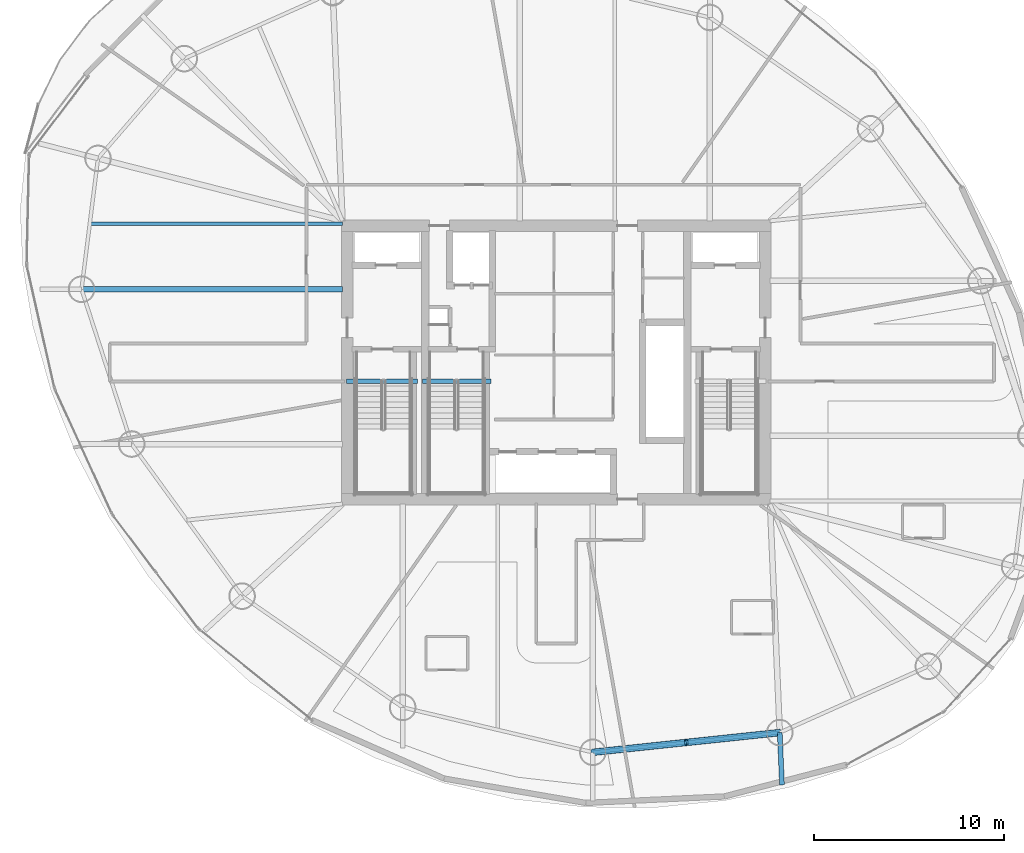
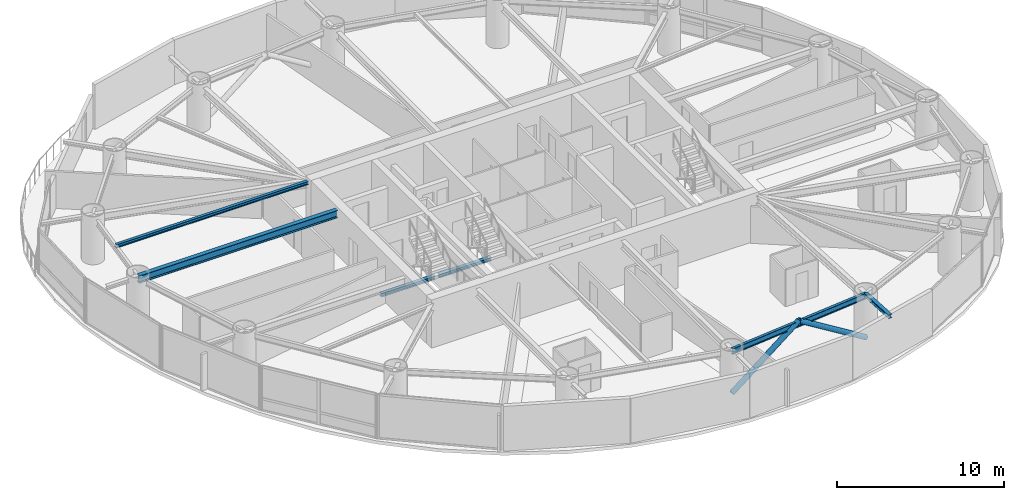
# One storey, part 7 of 20: 6 beams, 2 members.
"""IFC4 building model written with IfcOpenShell, lengths in metres."""

from ifc_helpers import new_model, si_unit, direction, frame, origin, origin_2d, place, context, subcontext, project, spatial, hollow_circle, i_section, extrude, material, material_profile, profile_set, type_object, element, save


model = new_model("IFC4")

# Units and contexts
model_context = context("Model", 3, precision=1e-05, world=origin(), true_north=direction((0.0, 1.0)))
body_context = subcontext(model_context, "Body", "Model", "MODEL_VIEW")
ifc_project = project(units=[si_unit("LENGTHUNIT", "METRE"), si_unit("AREAUNIT", "SQUARE_METRE"), si_unit("VOLUMEUNIT", "CUBIC_METRE"), si_unit("PLANEANGLEUNIT", "RADIAN"), si_unit("MASSUNIT", "GRAM", prefix="KILO")], contexts=[model_context])

# Site, building, storey
site_placement = place(None, origin())
site = spatial("IfcSite", under=ifc_project, at=site_placement, CompositionType="ELEMENT")
building_placement = place(site_placement, origin())
building = spatial("IfcBuilding", under=site, at=building_placement, Name="Bramvorn Convention Spire", CompositionType="ELEMENT")
storey_placement = place(building_placement, frame((0.0, 0.0, 155.300048828125)))
storey = spatial("IfcBuildingStorey", under=building, at=storey_placement, Name="L39", CompositionType="ELEMENT", Elevation=155.300048828125)

# Beams
ifc_material = material(Name="Steel CSA G40.21 Grade 350 (350W)", Category="steel")
ifc_material_profile_1 = material_profile(ifc_material, i_section(OverallWidth=0.201904296875, OverallDepth=0.2470703125, WebThickness=0.00732421875, FlangeThickness=0.010986328125, FilletRadius=0.011962890625, at=origin_2d()))
ifc_profile_set_1 = profile_set([ifc_material_profile_1], Name="Steel CSA G40.21 Grade 350 (350W) - W250X49")
beam_type_1 = type_object("IfcBeamType", Name="BM-W250X49", PredefinedType="JOIST", material=ifc_profile_set_1)
beam_1_placement = place(storey_placement, frame((26.75, 33.294921875, 3.136474609375), z_axis=(-1.0, 0.0, 0.0), x_axis=(0.0, -1.0, 0.0)))
element("IfcBeam", 1, at=beam_1_placement, inside=storey, type_object=beam_type_1, Name="L39 composite floor joist 09", PredefinedType="JOIST", context=body_context, shape_type="SweptSolid", body=[
    extrude(i_section(OverallWidth=0.201904296875, OverallDepth=0.2470703125, WebThickness=0.00732421875, FlangeThickness=0.010986328125, FilletRadius=0.011962890625, at=origin_2d()), origin(), (0.0, 0.0, 1.0), 13.30078125),
])
ifc_material_profile_2 = material_profile(ifc_material, i_section(OverallWidth=0.25390625, OverallDepth=0.2529296875, WebThickness=0.008544921875, FlangeThickness=0.01416015625, FilletRadius=0.011962890625, at=origin_2d()))
ifc_profile_set_2 = profile_set([ifc_material_profile_2], Name="Steel CSA G40.21 Grade 350 (350W) - W250X73")
beam_type_2 = type_object("IfcBeamType", Name="BM-W250X73", PredefinedType="BEAM", material=ifc_profile_set_2)
beam_2_placement = place(storey_placement, frame((49.76171875, 6.521240234375, 3.133544921875), z_axis=(0.04251283167, -0.999095920892, 0.0), x_axis=(0.999095920892, 0.04251283167, 0.0)))
element("IfcBeam", 2, at=beam_2_placement, inside=storey, type_object=beam_type_2, Name="L39 slab-edge cantilever tip beam MC15", PredefinedType="BEAM", context=body_context, shape_type="SweptSolid", body=[
    extrude(i_section(OverallWidth=0.25390625, OverallDepth=0.2529296875, WebThickness=0.008544921875, FlangeThickness=0.01416015625, FilletRadius=0.011962890625, at=origin_2d()), origin(), (0.0, 0.0, 1.0), 2.750732421875),
])
beam_3_placement = place(storey_placement, frame((26.949951171875, 25.010009765625, -0.12646484375), z_axis=(1.0, 0.0, 0.0), x_axis=(0.0, 1.0, 0.0)))
element("IfcBeam", 3, at=beam_3_placement, inside=storey, type_object=beam_type_2, Name="L39 ST1 stair arrival header beam", PredefinedType="BEAM", context=body_context, shape_type="SweptSolid", body=[
    extrude(i_section(OverallWidth=0.25390625, OverallDepth=0.2529296875, WebThickness=0.008544921875, FlangeThickness=0.01416015625, FilletRadius=0.011962890625, at=origin_2d()), origin(), (0.0, 0.0, 1.0), 3.739990234375),
])
beam_4_placement = place(storey_placement, frame((30.949951171875, 25.010009765625, -0.12646484375), z_axis=(1.0, 0.0, 0.0), x_axis=(0.0, 1.0, 0.0)))
element("IfcBeam", 4, at=beam_4_placement, inside=storey, type_object=beam_type_2, Name="L39 ST3 stair arrival header beam", PredefinedType="BEAM", context=body_context, shape_type="SweptSolid", body=[
    extrude(i_section(OverallWidth=0.25390625, OverallDepth=0.2529296875, WebThickness=0.008544921875, FlangeThickness=0.01416015625, FilletRadius=0.011962890625, at=origin_2d()), origin(), (0.0, 0.0, 1.0), 3.610107421875),
])
ifc_material_profile_3 = material_profile(ifc_material, i_section(OverallWidth=0.180908203125, OverallDepth=0.4169921875, WebThickness=0.010986328125, FlangeThickness=0.018310546875, FilletRadius=0.01611328125, at=origin_2d()))
ifc_profile_set_3 = profile_set([ifc_material_profile_3], Name="Steel CSA G40.21 Grade 350 (350W) - W410X85")
beam_type_3 = type_object("IfcBeamType", Name="BM-W410X85", PredefinedType="JOIST", material=ifc_profile_set_3)
beam_5_placement = place(storey_placement, frame((39.924072265625, 5.482666015625, 3.051513671875), z_axis=(0.994473491975, 0.104987969596, 0.0), x_axis=(-0.104987969596, 0.994473491975, 0.0)))
element("IfcBeam", 5, at=beam_5_placement, inside=storey, type_object=beam_type_3, Name="L39 mega-column ring beam 14", PredefinedType="JOIST", context=body_context, shape_type="SweptSolid", body=[
    extrude(i_section(OverallWidth=0.180908203125, OverallDepth=0.4169921875, WebThickness=0.010986328125, FlangeThickness=0.018310546875, FilletRadius=0.01611328125, at=origin_2d()), origin(), (0.0, 0.0, 1.0), 9.892333984375),
])
ifc_material_profile_4 = material_profile(ifc_material, i_section(OverallWidth=0.2919921875, OverallDepth=0.551025390625, WebThickness=0.01513671875, FlangeThickness=0.0244140625, FilletRadius=0.01904296875, at=origin_2d()))
ifc_profile_set_4 = profile_set([ifc_material_profile_4], Name="Steel CSA G40.21 Grade 350 (350W) - W530X182")
beam_type_4 = type_object("IfcBeamType", Name="BM-W530X182", PredefinedType="BEAM", material=ifc_profile_set_4)
beam_6_placement = place(storey_placement, frame((26.75, 29.851806640625, 2.984375), z_axis=(-1.0, 0.0, 0.0), x_axis=(0.0, -1.0, 0.0)))
element("IfcBeam", 6, at=beam_6_placement, inside=storey, type_object=beam_type_4, Name="L39 radial floor girder MC10", PredefinedType="BEAM", context=body_context, shape_type="SweptSolid", body=[
    extrude(i_section(OverallWidth=0.2919921875, OverallDepth=0.551025390625, WebThickness=0.01513671875, FlangeThickness=0.0244140625, FilletRadius=0.01904296875, at=origin_2d()), origin(), (0.0, 0.0, 1.0), 13.733642578125),
])

# Members
ifc_material_profile_5 = material_profile(ifc_material, hollow_circle(Radius=0.177734375, WallThickness=0.015869140625, at=origin_2d()))
ifc_profile_set_5 = profile_set([ifc_material_profile_5], Name="Steel CSA G40.21 Grade 350 (350W) - CHS356X16")
member_type = type_object("IfcMemberType", Name="MBR-CHS356X16", PredefinedType="BRACE", material=ifc_profile_set_5)
member_1_placement = place(storey_placement, frame((39.924072265625, 5.482666015625, 0.0), z_axis=(0.830346972509, 0.087658725954, 0.550308870553), x_axis=(-0.104985392894, 0.994473763997, 0.0)))
element("IfcMember", 7, at=member_1_placement, inside=storey, type_object=member_type, Name="L39 perimeter Gothic lancet brace 14A", PredefinedType="BRACE", context=body_context, shape_type="SweptSolid", body=[
    extrude(hollow_circle(Radius=0.177734375, WallThickness=0.015869140625, at=origin_2d()), origin(), (0.0, 0.0, 1.0), 5.924072265625),
])
member_2_placement = place(storey_placement, frame((49.76171875, 6.521240234375, 0.0), z_axis=(-0.830334174424, -0.087661725766, 0.550327702937), x_axis=(0.104990546424, -0.994473219932, 0.0)))
element("IfcMember", 8, at=member_2_placement, inside=storey, type_object=member_type, Name="L39 perimeter Gothic lancet brace 14B", PredefinedType="BRACE", context=body_context, shape_type="SweptSolid", body=[
    extrude(hollow_circle(Radius=0.177734375, WallThickness=0.015869140625, at=origin_2d()), origin(), (0.0, 0.0, 1.0), 5.923828125),
])

save(model, "model.ifc")
